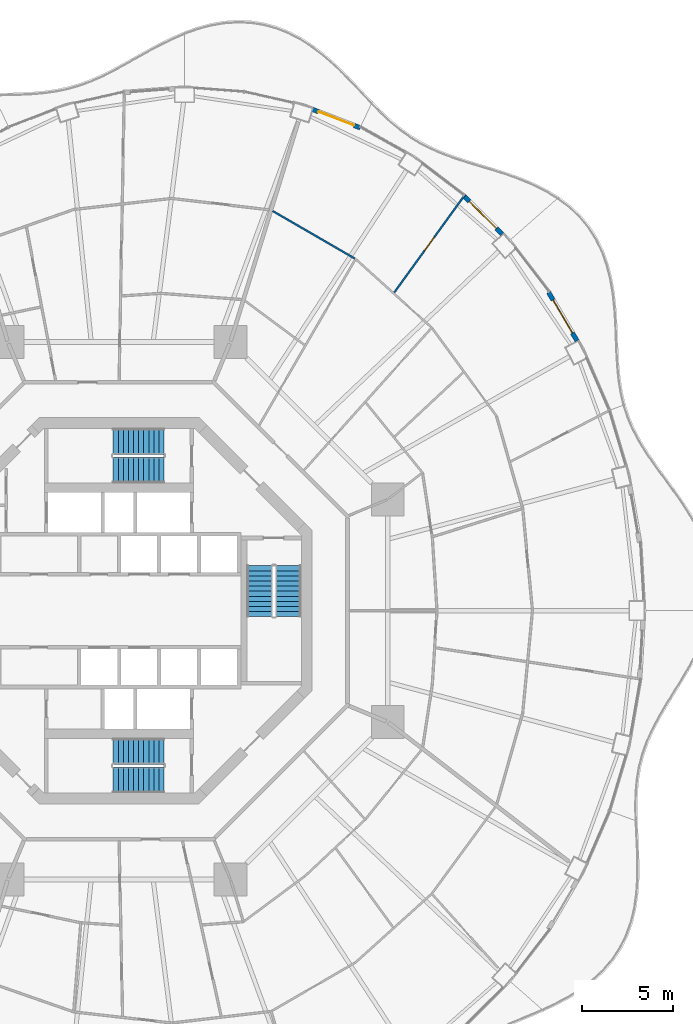
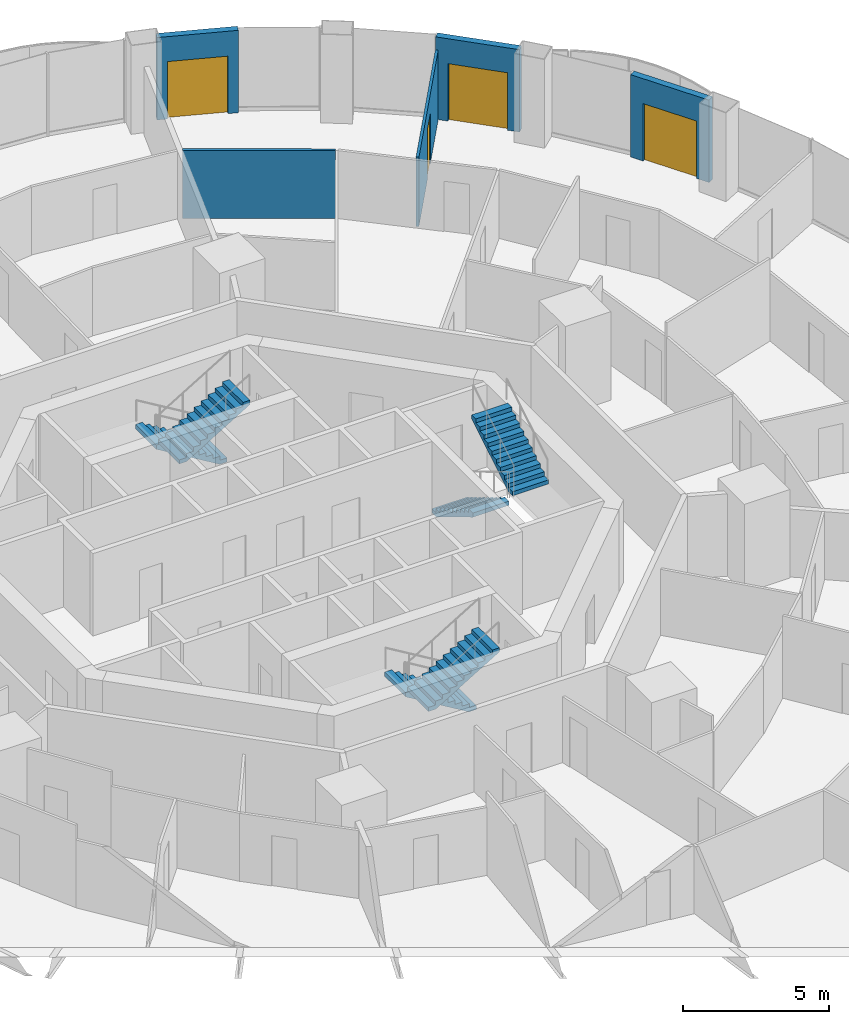
# One storey, part 16 of 19: 6 stair flights, 5 walls, 4 doors, 4 openings, 3 elements without a shape of their own.
"""IFC4 building model written with IfcOpenShell, lengths in metres."""

from ifc_helpers import new_model, si_unit, direction, frame, frame_2d, origin, place, context, subcontext, project, spatial, polyline, rectangle, outline, extrude, material, layer, layer_set, type_object, element, fill, aggregate, save


model = new_model("IFC4")

# Units and contexts
model_context = context("Model", 3, precision=1e-05, world=origin(), true_north=direction((0.0, 1.0)))
body_context = subcontext(model_context, "Body", "Model", "MODEL_VIEW")
ifc_project = project(units=[si_unit("LENGTHUNIT", "METRE"), si_unit("AREAUNIT", "SQUARE_METRE"), si_unit("VOLUMEUNIT", "CUBIC_METRE"), si_unit("PLANEANGLEUNIT", "RADIAN"), si_unit("MASSUNIT", "GRAM", prefix="KILO")], contexts=[model_context])

# Site, building, storey
site_placement = place(None, origin())
site = spatial("IfcSite", under=ifc_project, at=site_placement, CompositionType="ELEMENT")
building_placement = place(site_placement, origin())
building = spatial("IfcBuilding", under=site, at=building_placement, Name="Nagisa Residences", CompositionType="ELEMENT")
storey_placement = place(building_placement, frame((0.0, 0.0, 184.39990234375)))
storey = spatial("IfcBuildingStorey", under=building, at=storey_placement, Name="L46", CompositionType="ELEMENT", Elevation=184.39990234375)

# Wall, opening, door
ifc_material_1 = material(Name="Gypsum board on steel studs", Category="steel")
ifc_layer_1 = layer(ifc_material_1, 0.10009765625)
ifc_layer_set_1 = layer_set([ifc_layer_1], Name="Apartment partition 100")
wall_type_1 = type_object("IfcWallType", Name="Apartment partition 100", PredefinedType="PARTITIONING", material=ifc_layer_set_1)
wall_1_placement = place(storey_placement, frame((15.1328125, 17.498291015625, 0.0), z_axis=(0.0, 0.0, 1.0), x_axis=(0.586223556927, 0.810149332718, 0.0)))
wall_1 = element("IfcWall", 1, at=wall_1_placement, inside=storey, type_object=wall_type_1, Name="wall:L46:u34", PredefinedType="PARTITIONING", context=body_context, shape_type="SweptSolid", body=[
    extrude(rectangle(XDim=6.6376953125, YDim=0.10009765625, at=frame_2d((3.31884765625, 0.0))), origin(), (0.0, 0.0, 1.0), 2.905029296875),
])
opening_1_placement = place(wall_1_placement, frame((2.868896484375, 0.0, 0.0)))
opening_1 = element("IfcOpeningElement", 2, at=opening_1_placement, cuts=wall_1, Name="Opening L46-U39", PredefinedType="OPENING", context=body_context, shape_type="SweptSolid", body=[
    extrude(rectangle(XDim=0.89990234375, YDim=2.10009765625, at=frame_2d((0.449951171875, 1.050048828125))), frame((0.0, 0.06005859375, 0.0), z_axis=(0.0, -1.0, 0.0), x_axis=(1.0, 0.0, 0.0)), (0.0, 0.0, 1.0), 0.1201171875),
])
ifc_material_2 = material(Name="Timber door set", Category="wood")
door_type_1 = type_object("IfcDoorType", Name="Apartment door 900x2100", OperationType="NOTDEFINED", PredefinedType="DOOR", material=ifc_material_2)
door_1_placement = place(opening_1_placement, origin())
door_1 = element("IfcDoor", 3, at=door_1_placement, inside=storey, type_object=door_type_1, Name="Door to master bedroom, Apartment 46D", OperationType="SINGLE_SWING_LEFT", OverallHeight=2.10009765625, OverallWidth=0.89990234375, PredefinedType="DOOR", context=body_context, shape_type="SweptSolid", body=[
    extrude(rectangle(XDim=0.89990234375, YDim=2.10009765625, at=frame_2d((0.449951171875, 1.050048828125))), frame((0.0, 0.02490234375, 0.0), z_axis=(0.0, -1.0, 0.0), x_axis=(1.0, 0.0, 0.0)), (0.0, 0.0, 1.0), 0.050048828125),
])
fill(opening_1, door_1)

# Wall
wall_2_placement = place(storey_placement, frame((12.965087890625, 19.371337890625, 0.0), z_axis=(0.0, 0.0, 1.0), x_axis=(-0.865286427811, 0.501277765163, 0.0)))
element("IfcWall", 4, at=wall_2_placement, inside=storey, type_object=wall_type_1, Name="wall:L46:u37", PredefinedType="PARTITIONING", context=body_context, shape_type="SweptSolid", body=[
    extrude(rectangle(XDim=5.219970703125, YDim=0.10009765625, at=frame_2d((2.60986328125, 0.0))), origin(), (0.0, 0.0, 1.0), 2.837158203125),
])

# Wall, opening, door
ifc_material_3 = material(Name="Precast concrete C40/50", Category="concrete")
ifc_layer_2 = layer(ifc_material_3, 0.25)
ifc_layer_set_2 = layer_set([ifc_layer_2], Name="BALCONY DOOR WALL 250")
wall_type_2 = type_object("IfcWallType", Name="BALCONY DOOR WALL 250", PredefinedType="SOLIDWALL", material=ifc_layer_set_2)
wall_3_placement = place(storey_placement, frame((23.62353515625, 17.5146484375, 0.0), z_axis=(0.0, 0.0, 1.0), x_axis=(0.506367803691, -0.862317602386, 0.0)))
wall_3 = element("IfcWall", 5, at=wall_3_placement, inside=storey, type_object=wall_type_2, Name="wall:L46:bay04", PredefinedType="SOLIDWALL", context=body_context, shape_type="SweptSolid", body=[
    extrude(rectangle(XDim=3.092041015625, YDim=0.25, at=frame_2d((1.5458984375, 0.0))), origin(), (0.0, 0.0, 1.0), 3.440185546875),
])
opening_2_placement = place(wall_3_placement, frame((0.495849609375, 0.0, 0.0)))
opening_2 = element("IfcOpeningElement", 6, at=opening_2_placement, cuts=wall_3, Name="Opening BD-L46-02", PredefinedType="OPENING", context=body_context, shape_type="SweptSolid", body=[
    extrude(rectangle(XDim=2.10009765625, YDim=2.39990234375, at=frame_2d((1.050048828125, 1.199951171875))), frame((0.0, 0.135009765625, 0.0), z_axis=(0.0, -1.0, 0.0), x_axis=(1.0, 0.0, 0.0)), (0.0, 0.0, 1.0), 0.27001953125),
])
ifc_material_4 = material(Name="Aluminium and clear glass", Category="aluminium")
door_type_2 = type_object("IfcDoorType", Name="BALCONY SLIDING DOOR 2100x2400", OperationType="SLIDING_TO_LEFT", PredefinedType="DOOR", material=ifc_material_4)
door_2_placement = place(opening_2_placement, origin())
door_2 = element("IfcDoor", 7, at=door_2_placement, inside=storey, type_object=door_type_2, Name="door:L46:bay04", OperationType="SLIDING_TO_LEFT", OverallHeight=2.39990234375, OverallWidth=2.10009765625, PredefinedType="DOOR", context=body_context, shape_type="SweptSolid", body=[
    extrude(rectangle(XDim=2.10009765625, YDim=2.39990234375, at=frame_2d((1.050048828125, 1.199951171875))), frame((0.0, 0.02490234375, 0.0), z_axis=(0.0, -1.0, 0.0), x_axis=(1.0, 0.0, 0.0)), (0.0, 0.0, 1.0), 0.050048828125),
])
fill(opening_2, door_2)

wall_4_placement = place(storey_placement, frame((18.958984375, 22.819580078125, 0.0), z_axis=(0.0, 0.0, 1.0), x_axis=(0.707844845069, -0.706367946122, 0.0)))
wall_4 = element("IfcWall", 8, at=wall_4_placement, inside=storey, type_object=wall_type_2, Name="wall:L46:bay06", PredefinedType="SOLIDWALL", context=body_context, shape_type="SweptSolid", body=[
    extrude(rectangle(XDim=2.9755859375, YDim=0.25, at=frame_2d((1.48779296875, 0.0))), origin(), (0.0, 0.0, 1.0), 3.440185546875),
])
opening_3_placement = place(wall_4_placement, frame((0.437744140625, 0.0, 0.0)))
opening_3 = element("IfcOpeningElement", 9, at=opening_3_placement, cuts=wall_4, Name="Opening BD-L46-03", PredefinedType="OPENING", context=body_context, shape_type="SweptSolid", body=[
    extrude(rectangle(XDim=2.10009765625, YDim=2.39990234375, at=frame_2d((1.050048828125, 1.199951171875))), frame((0.0, 0.135009765625, 0.0), z_axis=(0.0, -1.0, 0.0), x_axis=(1.0, 0.0, 0.0)), (0.0, 0.0, 1.0), 0.27001953125),
])
door_3_placement = place(opening_3_placement, origin())
door_3 = element("IfcDoor", 10, at=door_3_placement, inside=storey, type_object=door_type_2, Name="door:L46:bay06", OperationType="SLIDING_TO_LEFT", OverallHeight=2.39990234375, OverallWidth=2.10009765625, PredefinedType="DOOR", context=body_context, shape_type="SweptSolid", body=[
    extrude(rectangle(XDim=2.10009765625, YDim=2.39990234375, at=frame_2d((1.050048828125, 1.199951171875))), frame((0.0, 0.02490234375, 0.0), z_axis=(0.0, -1.0, 0.0), x_axis=(1.0, 0.0, 0.0)), (0.0, 0.0, 1.0), 0.050048828125),
])
fill(opening_3, door_3)

wall_5_placement = place(storey_placement, frame((10.635498046875, 27.576416015625, 0.0), z_axis=(0.0, 0.0, 1.0), x_axis=(0.932806734513, -0.360377019311, 0.0)))
wall_5 = element("IfcWall", 11, at=wall_5_placement, inside=storey, type_object=wall_type_2, Name="wall:L46:bay09", PredefinedType="SOLIDWALL", context=body_context, shape_type="SweptSolid", body=[
    extrude(rectangle(XDim=2.819580078125, YDim=0.25, at=frame_2d((1.40966796875, 0.0))), origin(), (0.0, 0.0, 1.0), 3.440185546875),
])
opening_4_placement = place(wall_5_placement, frame((0.359619140625, 0.0, 0.0)))
opening_4 = element("IfcOpeningElement", 12, at=opening_4_placement, cuts=wall_5, Name="Opening BD-L46-04", PredefinedType="OPENING", context=body_context, shape_type="SweptSolid", body=[
    extrude(rectangle(XDim=2.10009765625, YDim=2.39990234375, at=frame_2d((1.050048828125, 1.199951171875))), frame((0.0, 0.135009765625, 0.0), z_axis=(0.0, -1.0, 0.0), x_axis=(1.0, 0.0, 0.0)), (0.0, 0.0, 1.0), 0.27001953125),
])
door_4_placement = place(opening_4_placement, origin())
door_4 = element("IfcDoor", 13, at=door_4_placement, inside=storey, type_object=door_type_2, Name="door:L46:bay09", OperationType="SLIDING_TO_LEFT", OverallHeight=2.39990234375, OverallWidth=2.10009765625, PredefinedType="DOOR", context=body_context, shape_type="SweptSolid", body=[
    extrude(rectangle(XDim=2.10009765625, YDim=2.39990234375, at=frame_2d((1.050048828125, 1.199951171875))), frame((0.0, 0.02490234375, 0.0), z_axis=(0.0, -1.0, 0.0), x_axis=(1.0, 0.0, 0.0)), (0.0, 0.0, 1.0), 0.050048828125),
])
fill(opening_4, door_4)

# Stair, stair flights
ifc_material_5 = material(Name="Concrete C60", Category="concrete")
stair_type = type_object("IfcStairType", Name="Exit stair", PredefinedType="HALF_TURN_STAIR", material=ifc_material_5)
stair_1_placement = place(storey_placement, origin())
stair_1 = element("IfcStair", 14, at=stair_1_placement, inside=storey, type_object=stair_type, Name="L46 Exit stair E", PredefinedType="HALF_TURN_STAIR")
ifc_material_6 = material(Name="Concrete C60", Category="concrete")
stair_flight_type = type_object("IfcStairFlightType", Name="Exit stair flight", PredefinedType="STRAIGHT", material=ifc_material_6)
stair_flight_1_placement = place(storey_placement, frame((7.737060546875, 2.47509765625, 0.0), z_axis=(0.0, 0.0, 1.0), x_axis=(0.0, -1.0, 0.0)))
stair_flight_1 = element("IfcStairFlight", 15, at=stair_flight_1_placement, type_object=stair_flight_type, Name="ST-E flight 1", NumberOfRisers=11, NumberOfTreads=10, PredefinedType="STRAIGHT", RiserHeight=0.168181818, TreadLength=0.28, context=body_context, shape_type="SweptSolid", body=[
    extrude(outline(polyline([(0.0, 0.0), (0.0, 0.168212890625), (0.280029296875, 0.168212890625), (0.280029296875, 0.33642578125), (0.56005859375, 0.33642578125), (0.56005859375, 0.504638671875), (0.840087890625, 0.504638671875), (0.840087890625, 0.672607421875), (1.1201171875, 0.672607421875), (1.1201171875, 0.8408203125), (1.39990234375, 0.8408203125), (1.39990234375, 1.009033203125), (1.679931640625, 1.009033203125), (1.679931640625, 1.17724609375), (1.9599609375, 1.17724609375), (1.9599609375, 1.345458984375), (2.239990234375, 1.345458984375), (2.239990234375, 1.513671875), (2.52001953125, 1.513671875), (2.52001953125, 1.681884765625), (2.800048828125, 1.681884765625), (2.800048828125, 1.85009765625), (2.800048828125, 1.5068359375), (0.291015625, 0.0), (0.0, 0.0)])), frame((0.0, 0.71240234375, 0.0), z_axis=(0.0, -1.0, 0.0), x_axis=(1.0, 0.0, 0.0)), (0.0, 0.0, 1.0), 1.425048828125),
])
stair_flight_2_placement = place(storey_placement, frame((9.31201171875, -0.324951171875, 1.85009765625), z_axis=(0.0, 0.0, 1.0), x_axis=(0.0, 1.0, 0.0)))
stair_flight_2 = element("IfcStairFlight", 16, at=stair_flight_2_placement, type_object=stair_flight_type, Name="ST-E flight 2", NumberOfRisers=11, NumberOfTreads=10, PredefinedType="STRAIGHT", RiserHeight=0.168181818, TreadLength=0.28, context=body_context, shape_type="SweptSolid", body=[
    extrude(outline(polyline([(0.0, 0.0), (0.0, 0.168212890625), (0.280029296875, 0.168212890625), (0.280029296875, 0.33642578125), (0.56005859375, 0.33642578125), (0.56005859375, 0.504638671875), (0.840087890625, 0.504638671875), (0.840087890625, 0.672607421875), (1.1201171875, 0.672607421875), (1.1201171875, 0.8408203125), (1.39990234375, 0.8408203125), (1.39990234375, 1.009033203125), (1.679931640625, 1.009033203125), (1.679931640625, 1.17724609375), (1.9599609375, 1.17724609375), (1.9599609375, 1.345458984375), (2.239990234375, 1.345458984375), (2.239990234375, 1.513671875), (2.52001953125, 1.513671875), (2.52001953125, 1.681884765625), (2.800048828125, 1.681884765625), (2.800048828125, 1.85009765625), (2.800048828125, 1.5068359375), (0.291015625, 0.0), (0.0, 0.0)])), frame((0.0, 0.71240234375, 0.0), z_axis=(0.0, -1.0, 0.0), x_axis=(1.0, 0.0, 0.0)), (0.0, 0.0, 1.0), 1.425048828125),
])
aggregate(stair_1, [stair_flight_1, stair_flight_2])

stair_2_placement = place(storey_placement, origin())
stair_2 = element("IfcStair", 17, at=stair_2_placement, inside=storey, type_object=stair_type, Name="L46 Exit stair N", PredefinedType="HALF_TURN_STAIR")
stair_flight_3_placement = place(storey_placement, frame((2.47509765625, 9.31201171875, 0.0), z_axis=(0.0, 0.0, 1.0), x_axis=(-1.0, 0.0, 0.0)))
stair_flight_3 = element("IfcStairFlight", 18, at=stair_flight_3_placement, type_object=stair_flight_type, Name="ST-N flight 1", NumberOfRisers=11, NumberOfTreads=10, PredefinedType="STRAIGHT", RiserHeight=0.168181818, TreadLength=0.28, context=body_context, shape_type="SweptSolid", body=[
    extrude(outline(polyline([(0.0, 0.0), (0.0, 0.168212890625), (0.280029296875, 0.168212890625), (0.280029296875, 0.33642578125), (0.56005859375, 0.33642578125), (0.56005859375, 0.504638671875), (0.840087890625, 0.504638671875), (0.840087890625, 0.672607421875), (1.1201171875, 0.672607421875), (1.1201171875, 0.8408203125), (1.39990234375, 0.8408203125), (1.39990234375, 1.009033203125), (1.679931640625, 1.009033203125), (1.679931640625, 1.17724609375), (1.9599609375, 1.17724609375), (1.9599609375, 1.345458984375), (2.239990234375, 1.345458984375), (2.239990234375, 1.513671875), (2.52001953125, 1.513671875), (2.52001953125, 1.681884765625), (2.800048828125, 1.681884765625), (2.800048828125, 1.85009765625), (2.800048828125, 1.5068359375), (0.291015625, 0.0), (0.0, 0.0)])), frame((0.0, 0.71240234375, 0.0), z_axis=(0.0, -1.0, 0.0), x_axis=(1.0, 0.0, 0.0)), (0.0, 0.0, 1.0), 1.425048828125),
])
stair_flight_4_placement = place(storey_placement, frame((-0.324951171875, 7.737060546875, 1.85009765625), z_axis=(0.0, 0.0, 1.0), x_axis=(1.0, 0.0, 0.0)))
stair_flight_4 = element("IfcStairFlight", 19, at=stair_flight_4_placement, type_object=stair_flight_type, Name="ST-N flight 2", NumberOfRisers=11, NumberOfTreads=10, PredefinedType="STRAIGHT", RiserHeight=0.168181818, TreadLength=0.28, context=body_context, shape_type="SweptSolid", body=[
    extrude(outline(polyline([(0.0, 0.0), (0.0, 0.168212890625), (0.280029296875, 0.168212890625), (0.280029296875, 0.33642578125), (0.56005859375, 0.33642578125), (0.56005859375, 0.504638671875), (0.840087890625, 0.504638671875), (0.840087890625, 0.672607421875), (1.1201171875, 0.672607421875), (1.1201171875, 0.8408203125), (1.39990234375, 0.8408203125), (1.39990234375, 1.009033203125), (1.679931640625, 1.009033203125), (1.679931640625, 1.17724609375), (1.9599609375, 1.17724609375), (1.9599609375, 1.345458984375), (2.239990234375, 1.345458984375), (2.239990234375, 1.513671875), (2.52001953125, 1.513671875), (2.52001953125, 1.681884765625), (2.800048828125, 1.681884765625), (2.800048828125, 1.85009765625), (2.800048828125, 1.5068359375), (0.291015625, 0.0), (0.0, 0.0)])), frame((0.0, 0.71240234375, 0.0), z_axis=(0.0, -1.0, 0.0), x_axis=(1.0, 0.0, 0.0)), (0.0, 0.0, 1.0), 1.425048828125),
])
aggregate(stair_2, [stair_flight_3, stair_flight_4])

stair_3_placement = place(storey_placement, origin())
stair_3 = element("IfcStair", 20, at=stair_3_placement, inside=storey, type_object=stair_type, Name="L46 Exit stair S", PredefinedType="HALF_TURN_STAIR")
stair_flight_5_placement = place(storey_placement, frame((2.47509765625, -7.737060546875, 0.0), z_axis=(0.0, 0.0, 1.0), x_axis=(-1.0, 0.0, 0.0)))
stair_flight_5 = element("IfcStairFlight", 21, at=stair_flight_5_placement, type_object=stair_flight_type, Name="ST-S flight 1", NumberOfRisers=11, NumberOfTreads=10, PredefinedType="STRAIGHT", RiserHeight=0.168181818, TreadLength=0.28, context=body_context, shape_type="SweptSolid", body=[
    extrude(outline(polyline([(0.0, 0.0), (0.0, 0.168212890625), (0.280029296875, 0.168212890625), (0.280029296875, 0.33642578125), (0.56005859375, 0.33642578125), (0.56005859375, 0.504638671875), (0.840087890625, 0.504638671875), (0.840087890625, 0.672607421875), (1.1201171875, 0.672607421875), (1.1201171875, 0.8408203125), (1.39990234375, 0.8408203125), (1.39990234375, 1.009033203125), (1.679931640625, 1.009033203125), (1.679931640625, 1.17724609375), (1.9599609375, 1.17724609375), (1.9599609375, 1.345458984375), (2.239990234375, 1.345458984375), (2.239990234375, 1.513671875), (2.52001953125, 1.513671875), (2.52001953125, 1.681884765625), (2.800048828125, 1.681884765625), (2.800048828125, 1.85009765625), (2.800048828125, 1.5068359375), (0.291015625, 0.0), (0.0, 0.0)])), frame((0.0, 0.71240234375, 0.0), z_axis=(0.0, -1.0, 0.0), x_axis=(1.0, 0.0, 0.0)), (0.0, 0.0, 1.0), 1.425048828125),
])
stair_flight_6_placement = place(storey_placement, frame((-0.324951171875, -9.31201171875, 1.85009765625), z_axis=(0.0, 0.0, 1.0), x_axis=(1.0, 0.0, 0.0)))
stair_flight_6 = element("IfcStairFlight", 22, at=stair_flight_6_placement, type_object=stair_flight_type, Name="ST-S flight 2", NumberOfRisers=11, NumberOfTreads=10, PredefinedType="STRAIGHT", RiserHeight=0.168181818, TreadLength=0.28, context=body_context, shape_type="SweptSolid", body=[
    extrude(outline(polyline([(0.0, 0.0), (0.0, 0.168212890625), (0.280029296875, 0.168212890625), (0.280029296875, 0.33642578125), (0.56005859375, 0.33642578125), (0.56005859375, 0.504638671875), (0.840087890625, 0.504638671875), (0.840087890625, 0.672607421875), (1.1201171875, 0.672607421875), (1.1201171875, 0.8408203125), (1.39990234375, 0.8408203125), (1.39990234375, 1.009033203125), (1.679931640625, 1.009033203125), (1.679931640625, 1.17724609375), (1.9599609375, 1.17724609375), (1.9599609375, 1.345458984375), (2.239990234375, 1.345458984375), (2.239990234375, 1.513671875), (2.52001953125, 1.513671875), (2.52001953125, 1.681884765625), (2.800048828125, 1.681884765625), (2.800048828125, 1.85009765625), (2.800048828125, 1.5068359375), (0.291015625, 0.0), (0.0, 0.0)])), frame((0.0, 0.71240234375, 0.0), z_axis=(0.0, -1.0, 0.0), x_axis=(1.0, 0.0, 0.0)), (0.0, 0.0, 1.0), 1.425048828125),
])
aggregate(stair_3, [stair_flight_5, stair_flight_6])

save(model, "model.ifc")
